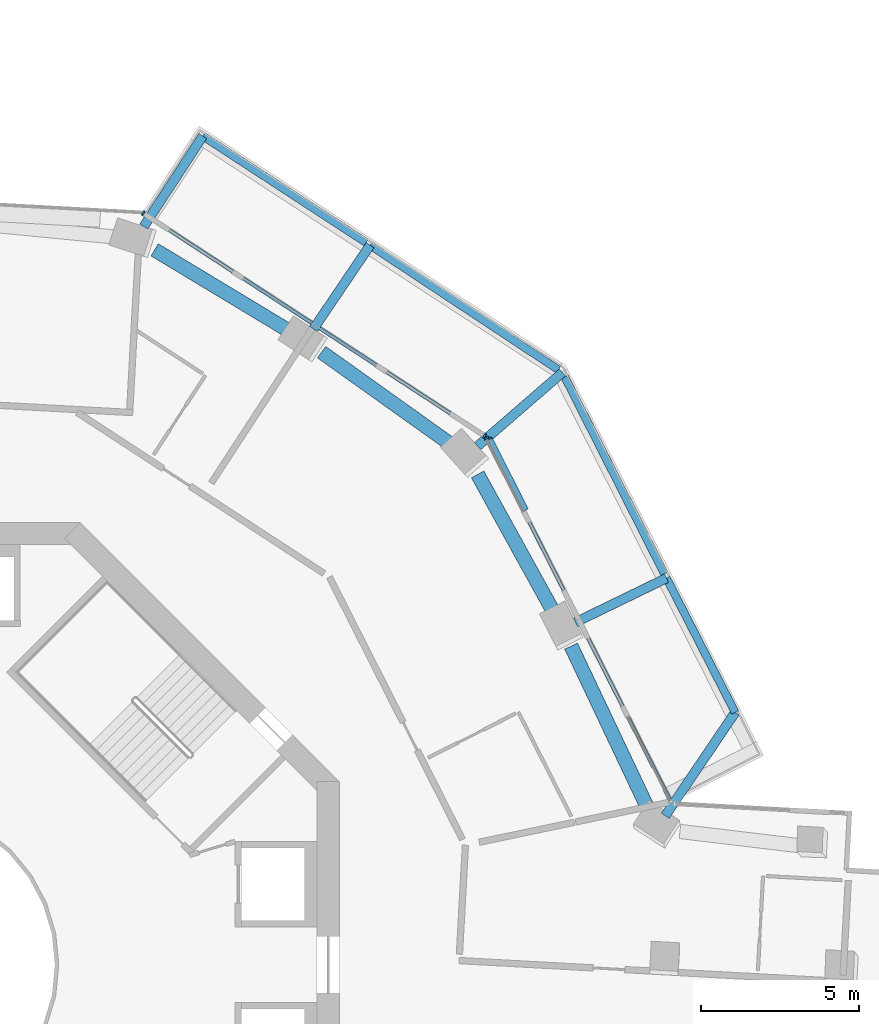
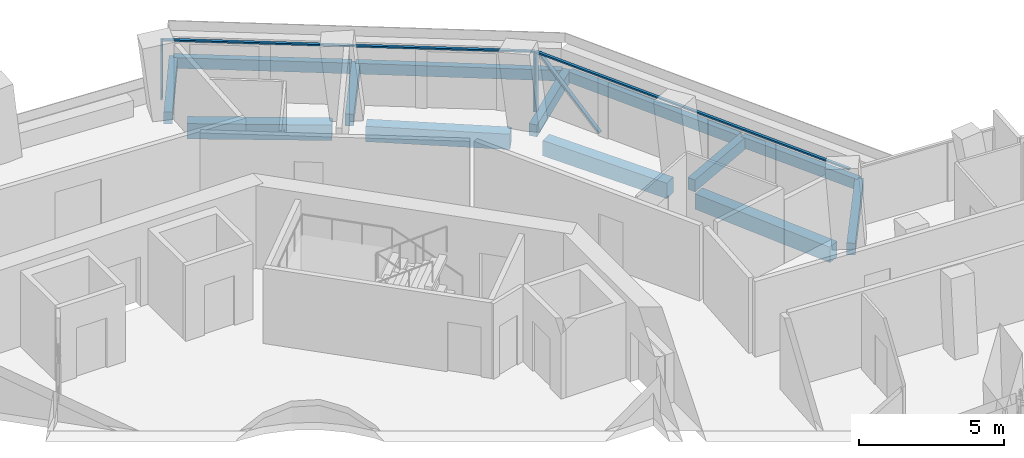
# One storey, part 9 of 23: 13 beams, 6 members, 2 elements without a shape of their own.
"""IFC4 building model written with IfcOpenShell, lengths in metres."""

import ifcopenshell
import ifcopenshell.guid

model = None  # the IFC model being written
_history = None  # IfcOwnerHistory: only IFC2X3 demands one
_inside = {}  # id of a spatial element -> (the spatial element, [elements in it])
_under = {}  # id of a project, library or spatial element -> (it, [spatial elements below it])
_declared = {}  # id of a project -> (the project, [libraries it declares])
_typed = {}  # id of a type object -> (the type object, [elements of that type])
_made_of = {}  # id of a material, layer set ... -> (it, [elements and type objects made of it])


def new_model(schema):
    """Start an empty IFC model of exactly this schema.

    Asked for "IFC4X3", IfcOpenShell would pick the latest addendum, in which some entities
    have other attributes; the version numbers below select the first issue.
    IFC2X3 requires an IfcOwnerHistory on every rooted entity: one is made here for all.
    """
    global model, _history
    if schema == "IFC4X3":
        model = ifcopenshell.file(schema_version=(4, 3, 0, 0))
    else:
        model = ifcopenshell.file(schema=schema)
    _inside.clear()
    _under.clear()
    _declared.clear()
    _typed.clear()
    _made_of.clear()
    _history = None
    if model.schema == "IFC2X3":
        org = make("IfcOrganization", Name="unknown")
        user = make(
            "IfcPersonAndOrganization",
            ThePerson=make("IfcPerson", FamilyName="unknown"),
            TheOrganization=org,
        )
        app = make(
            "IfcApplication",
            ApplicationDeveloper=org,
            Version="unknown",
            ApplicationFullName="unknown",
            ApplicationIdentifier="unknown",
        )
        _history = make(
            "IfcOwnerHistory",
            OwningUser=user,
            OwningApplication=app,
            ChangeAction="ADDED",
            CreationDate=0,
        )
    return model


def make(cls, **values):
    """One entity of the class cls with the attributes given. An attribute that is None is left unset."""
    return model.create_entity(
        cls, **{name: value for name, value in values.items() if value is not None}
    )


def rooted(cls, **values):
    """An entity with a GlobalId (a new one), such as an element, a storey or a relation."""
    return make(cls, GlobalId=ifcopenshell.guid.new(), OwnerHistory=_history, **values)


def si_unit(unit_type, name, prefix=None):
    """IfcSIUnit, for example si_unit("LENGTHUNIT", "METRE", prefix="MILLI")."""
    return make("IfcSIUnit", UnitType=unit_type, Prefix=prefix, Name=name)


def assignment(units):
    """IfcUnitAssignment: the units of a project."""
    return None if units is None else make("IfcUnitAssignment", Units=units)


def point(xyz):
    """IfcCartesianPoint."""
    return None if xyz is None else make("IfcCartesianPoint", Coordinates=xyz)


def direction(xyz):
    """IfcDirection."""
    return None if xyz is None else make("IfcDirection", DirectionRatios=xyz)


def frame(location, z_axis=None, x_axis=None):
    """IfcAxis2Placement3D, a coordinate frame: its origin and axes. An axis left out is left unset."""
    return make(
        "IfcAxis2Placement3D",
        Location=point(location),
        Axis=direction(z_axis),
        RefDirection=direction(x_axis),
    )


def frame_2d(location, x_axis=None):
    """IfcAxis2Placement2D, a coordinate frame in the plane: its origin and x axis."""
    return make(
        "IfcAxis2Placement2D", Location=point(location), RefDirection=direction(x_axis)
    )


def origin():
    """The frame at (0, 0, 0) with its axes left unset."""
    return frame((0.0, 0.0, 0.0))


def origin_2d():
    """The frame at (0, 0) in the plane with its x axis left unset."""
    return frame_2d((0.0, 0.0))


def place(relative_to, where):
    """IfcLocalPlacement: puts the frame where relative to a parent placement (None: the world)."""
    return make(
        "IfcLocalPlacement", PlacementRelTo=relative_to, RelativePlacement=where
    )


def context(
    kind, dimensions, precision=None, world=None, true_north=None, identifier=None
):
    """IfcGeometricRepresentationContext, for example the 3D "Model" context."""
    return make(
        "IfcGeometricRepresentationContext",
        ContextIdentifier=identifier,
        ContextType=kind,
        CoordinateSpaceDimension=dimensions,
        Precision=precision,
        WorldCoordinateSystem=world,
        TrueNorth=true_north,
    )


def subcontext(parent, identifier, kind, view, scale=None):
    """IfcGeometricRepresentationSubContext, for example "Body" below "Model"."""
    return make(
        "IfcGeometricRepresentationSubContext",
        ContextIdentifier=identifier,
        ContextType=kind,
        ParentContext=parent,
        TargetScale=scale,
        TargetView=view,
    )


def project(units=None, contexts=None):
    """IfcProject with its units and contexts."""
    return rooted(
        "IfcProject",
        Name="project",
        RepresentationContexts=contexts,
        UnitsInContext=assignment(units),
    )


def spatial(cls, under=None, at=None, **own):
    """A site, building, storey or space (cls), placed at a placement, below another one or the project."""
    s = rooted(cls, ObjectPlacement=at, **own)
    if under is not None:
        _under.setdefault(under.id(), (under, []))[1].append(s)
    return s


def profile(cls, at=None, kind="AREA", **sizes):
    """A parametric profile (cls). Its sizes go by their IFC names, for example OverallWidth=200.0."""
    return make(cls, ProfileType=kind, Position=at, **sizes)


def rectangle(**sizes):
    """IfcRectangleProfileDef."""
    return profile("IfcRectangleProfileDef", **sizes)


def extrude(swept, where, along, depth):
    """IfcExtrudedAreaSolid: the profile swept, set in the frame where, extruded along a direction by depth."""
    return make(
        "IfcExtrudedAreaSolid",
        SweptArea=swept,
        Position=where,
        ExtrudedDirection=direction(along),
        Depth=depth,
    )


def shape(context_of_items, identifier, shape_type, items):
    """IfcShapeRepresentation: the items that make up one representation, for example the "Body"."""
    return make(
        "IfcShapeRepresentation",
        ContextOfItems=context_of_items,
        RepresentationIdentifier=identifier,
        RepresentationType=shape_type,
        Items=items,
    )


def material(Name=None, Category=None):
    """IfcMaterial."""
    return make("IfcMaterial", Name=Name, Category=Category)


def layer(
    of_material, thickness, ventilated=None, Name=None, Category=None, Priority=None
):
    """IfcMaterialLayer: one layer of a wall or slab, of a material (None: an air gap)."""
    return make(
        "IfcMaterialLayer",
        Material=of_material,
        LayerThickness=thickness,
        IsVentilated=ventilated,
        Name=Name,
        Category=Category,
        Priority=Priority,
    )


def layer_set(layers, Name=None):
    """IfcMaterialLayerSet."""
    return make("IfcMaterialLayerSet", MaterialLayers=layers, LayerSetName=Name)


def material_profile(
    of_material, cross_section, Name=None, Category=None, Priority=None
):
    """IfcMaterialProfile: a cross section and its material."""
    return make(
        "IfcMaterialProfile",
        Name=Name,
        Material=of_material,
        Profile=cross_section,
        Priority=Priority,
        Category=Category,
    )


def profile_set(profiles, Name=None, composite=None):
    """IfcMaterialProfileSet."""
    return make(
        "IfcMaterialProfileSet",
        Name=Name,
        MaterialProfiles=profiles,
        CompositeProfile=composite,
    )


def made_of(thing, what):
    """Note that an element or type object is made of a material, layer set ...; save() writes the relation."""
    if what is not None:
        _made_of.setdefault(what.id(), (what, []))[1].append(thing)
    return thing


def type_object(cls, material=None, **own):
    """A type object (cls), such as IfcWallType, which elements share."""
    return made_of(rooted(cls, **own), material)


def element(
    cls,
    number,
    at=None,
    inside=None,
    cuts=None,
    type_object=None,
    material=None,
    context=None,
    identifier="Body",
    shape_type=None,
    held_by="IfcProductDefinitionShape",
    body=None,
    shapes=None,
    **own,
):
    """One element of the class cls, such as IfcWall. Its Tag is "e" and its number.

    at: its placement. inside: the storey or other place that contains it. cuts: it is an
    opening in that element (IfcRelVoidsElement). A single representation is given by context,
    identifier, shape_type and body (its items); several are given by shapes. held_by: the class
    of the entity that holds the representations. save() writes the other relations.
    """
    e = rooted(cls, Tag="e%d" % number, ObjectPlacement=at, **own)
    if body is not None:
        shapes = [shape(context, identifier, shape_type, body)]
    if shapes is not None:
        e.Representation = make(held_by, Representations=shapes)
    if inside is not None:
        _inside.setdefault(inside.id(), (inside, []))[1].append(e)
    if cuts is not None:
        rooted(
            "IfcRelVoidsElement", RelatingBuildingElement=cuts, RelatedOpeningElement=e
        )
    if type_object is not None:
        _typed.setdefault(type_object.id(), (type_object, []))[1].append(e)
    return made_of(e, material)


def aggregate(whole, parts):
    """IfcRelAggregates: a whole, such as a stair, and the parts it consists of."""
    return rooted("IfcRelAggregates", RelatingObject=whole, RelatedObjects=parts)


def save(model, path):
    """Write the relations noted so far, then the file.

    IfcRelAggregates (storeys below a building ...), IfcRelContainedInSpatialStructure (elements
    in a storey), IfcRelDefinesByType, IfcRelAssociatesMaterial and IfcRelDeclares: one each for
    every whole, place, type object, material and project.
    """
    for whole, parts in _under.values():
        aggregate(whole, parts)
    for where, things in _inside.values():
        rooted(
            "IfcRelContainedInSpatialStructure",
            RelatedElements=things,
            RelatingStructure=where,
        )
    for kind, things in _typed.values():
        rooted("IfcRelDefinesByType", RelatedObjects=things, RelatingType=kind)
    for what, things in _made_of.values():
        rooted("IfcRelAssociatesMaterial", RelatedObjects=things, RelatingMaterial=what)
    for by, libraries in _declared.values():
        rooted("IfcRelDeclares", RelatingContext=by, RelatedDefinitions=libraries)
    model.write(path)


model = new_model("IFC4")

# Units and contexts
model_context = context("Model", 3, precision=1e-05, world=origin(), true_north=direction((0.0, 1.0)))
body_context = subcontext(model_context, "Body", "Model", "MODEL_VIEW")
ifc_project = project(units=[si_unit("LENGTHUNIT", "METRE"), si_unit("AREAUNIT", "SQUARE_METRE"), si_unit("VOLUMEUNIT", "CUBIC_METRE"), si_unit("PLANEANGLEUNIT", "RADIAN"), si_unit("MASSUNIT", "GRAM", prefix="KILO")], contexts=[model_context])

# Site, building, storey
site_placement = place(None, origin())
site = spatial("IfcSite", under=ifc_project, at=site_placement, CompositionType="ELEMENT")
building_placement = place(site_placement, origin())
building = spatial("IfcBuilding", under=site, at=building_placement, Name="Verdalira Terraces Hotel", CompositionType="ELEMENT")
storey_placement = place(building_placement, frame((0.0, 0.0, 143.5)))
storey = spatial("IfcBuildingStorey", under=building, at=storey_placement, Name="L34", CompositionType="ELEMENT", Elevation=143.5)

# Beams
ifc_material_1 = material(Name="Concrete C40", Category="concrete")
ifc_material_profile_1 = material_profile(ifc_material_1, rectangle(XDim=0.300049, YDim=0.5, at=origin_2d()), Name="RC 300X500")
ifc_profile_set_1 = profile_set([ifc_material_profile_1], Name="Concrete C40")
beam_type_1 = type_object("IfcBeamType", Name="Balcony cantilever beam RC 300X500 C40", PredefinedType="BEAM", material=ifc_profile_set_1)
beam_1_placement = place(storey_placement, frame((24.317139, 4.714111, -0.560059), z_axis=(0.560364243, 0.828246289, 0.0), x_axis=(-0.828246289, 0.560364243, 0.0)))
element("IfcBeam", 1, at=beam_1_placement, inside=storey, type_object=beam_type_1, Name="Balcony cantilever beam R39-1", PredefinedType="BEAM", context=body_context, shape_type="SweptSolid", body=[
    extrude(rectangle(XDim=0.300049, YDim=0.5, at=origin_2d()), origin(), (0.0, 0.0, 1.0), 3.949951),
])
beam_2_placement = place(storey_placement, frame((21.477783, 10.839111, -0.560059), z_axis=(0.899404506, 0.437117302, 0.0), x_axis=(-0.437117302, 0.899404506, 0.0)))
element("IfcBeam", 2, at=beam_2_placement, inside=storey, type_object=beam_type_1, Name="Balcony cantilever beam R39-2", PredefinedType="BEAM", context=body_context, shape_type="SweptSolid", body=[
    extrude(rectangle(XDim=0.300049, YDim=0.5, at=origin_2d()), origin(), (0.0, 0.0, 1.0), 3.200928),
])
beam_3_placement = place(storey_placement, frame((18.376221, 16.418213, -0.560059), z_axis=(0.755630192, 0.654998483, 0.0), x_axis=(-0.654998483, 0.755630192, 0.0)))
element("IfcBeam", 3, at=beam_3_placement, inside=storey, type_object=beam_type_1, Name="Balcony cantilever beam R39-3", PredefinedType="BEAM", context=body_context, shape_type="SweptSolid", body=[
    extrude(rectangle(XDim=0.300049, YDim=0.5, at=origin_2d()), origin(), (0.0, 0.0, 1.0), 3.556641),
])
beam_4_placement = place(storey_placement, frame((13.180908, 20.125977, -0.560059), z_axis=(0.560320141, 0.828276125, 0.0), x_axis=(-0.828276125, 0.560320141, 0.0)))
element("IfcBeam", 4, at=beam_4_placement, inside=storey, type_object=beam_type_1, Name="Balcony cantilever beam R39-4", PredefinedType="BEAM", context=body_context, shape_type="SweptSolid", body=[
    extrude(rectangle(XDim=0.300049, YDim=0.5, at=origin_2d()), origin(), (0.0, 0.0, 1.0), 3.200684),
])
beam_5_placement = place(storey_placement, frame((7.811523, 23.369873, -0.560059), z_axis=(0.546396353, 0.837526731, 0.0), x_axis=(-0.837526731, 0.546396353, 0.0)))
element("IfcBeam", 5, at=beam_5_placement, inside=storey, type_object=beam_type_1, Name="Balcony cantilever beam R39-5", PredefinedType="BEAM", context=body_context, shape_type="SweptSolid", body=[
    extrude(rectangle(XDim=0.300049, YDim=0.5, at=origin_2d()), origin(), (0.0, 0.0, 1.0), 3.417236),
])
ifc_material_2 = material(Name="Concrete C40", Category="concrete")
ifc_material_profile_2 = material_profile(ifc_material_2, rectangle(XDim=0.25, YDim=0.449951, at=origin_2d()), Name="RC 250X450")
ifc_profile_set_2 = profile_set([ifc_material_profile_2], Name="Concrete C40")
beam_type_2 = type_object("IfcBeamType", Name="Balcony edge beam RC 250X450 C40", PredefinedType="BEAM", material=ifc_profile_set_2)
beam_6_placement = place(storey_placement, frame((26.530518, 7.985596, -0.534912), z_axis=(-0.455149788, 0.890414887, 0.0), x_axis=(-0.890414887, -0.455149788, 0.0)))
element("IfcBeam", 6, at=beam_6_placement, inside=storey, type_object=beam_type_2, Name="Balcony edge beam R39-1", PredefinedType="BEAM", context=body_context, shape_type="SweptSolid", body=[
    extrude(rectangle(XDim=0.25, YDim=0.449951, at=origin_2d()), origin(), (0.0, 0.0, 1.0), 4.776123),
])
beam_7_placement = place(storey_placement, frame((24.289062, 12.372314, -0.534912), z_axis=(-0.451413698, 0.892314784, 0.0), x_axis=(-0.892314784, -0.451413698, 0.0)))
element("IfcBeam", 7, at=beam_7_placement, inside=storey, type_object=beam_type_2, Name="Balcony edge beam R39-2", PredefinedType="BEAM", context=body_context, shape_type="SweptSolid", body=[
    extrude(rectangle(XDim=0.25, YDim=0.449951, at=origin_2d()), origin(), (0.0, 0.0, 1.0), 6.990234),
])
beam_8_placement = place(storey_placement, frame((20.933838, 18.83374, -0.534912), z_axis=(-0.833958564, 0.551827068, 0.0), x_axis=(-0.551827068, -0.833958564, 0.0)))
element("IfcBeam", 8, at=beam_8_placement, inside=storey, type_object=beam_type_2, Name="Balcony edge beam R39-3", PredefinedType="BEAM", context=body_context, shape_type="SweptSolid", body=[
    extrude(rectangle(XDim=0.25, YDim=0.449951, at=origin_2d()), origin(), (0.0, 0.0, 1.0), 7.145996),
])
beam_9_placement = place(storey_placement, frame((14.848633, 22.858887, -0.534912), z_axis=(-0.837509872, 0.546422194, 0.0), x_axis=(-0.546422194, -0.837509872, 0.0)))
element("IfcBeam", 9, at=beam_9_placement, inside=storey, type_object=beam_type_2, Name="Balcony edge beam R39-4", PredefinedType="BEAM", context=body_context, shape_type="SweptSolid", body=[
    extrude(rectangle(XDim=0.25, YDim=0.449951, at=origin_2d()), origin(), (0.0, 0.0, 1.0), 6.172852),
])

# Curtain wall, member
ifc_material_3 = material(Name="Clear glass", Category="glass")
ifc_layer = layer(ifc_material_3, 0.14990234375)
ifc_layer_set = layer_set([ifc_layer], Name="CW1 curtain wall")
curtain_wall_type = type_object("IfcCurtainWallType", Name="CW1 curtain wall", PredefinedType="NOTDEFINED", material=ifc_layer_set)
curtain_wall_1_placement = place(storey_placement, origin())
curtain_wall_1 = element("IfcCurtainWall", 10, at=curtain_wall_1_placement, inside=storey, type_object=curtain_wall_type, Name="CW1 curtain wall L34 edge 39", PredefinedType="NOTDEFINED")
ifc_material_4 = material(Name="Terracotta frame", Category="masonry")
ifc_material_profile_3 = material_profile(ifc_material_4, rectangle(XDim=0.060059, YDim=0.149902, at=origin_2d()), Name="MU 60x150")
ifc_profile_set_3 = profile_set([ifc_material_profile_3], Name="Terracotta frame")
member_type_1 = type_object("IfcMemberType", Name="CW1 mullion 60x150", PredefinedType="MULLION", material=ifc_profile_set_3)
member_1_placement = place(storey_placement, frame((18.66333, 16.668945, 0.0), z_axis=(0.0, 0.0, 1.0), x_axis=(-0.452123386, 0.891955405, 0.0)))
member_1 = element("IfcMember", 11, at=member_1_placement, type_object=member_type_1, Name="CW1 mullion", PredefinedType="MULLION", context=body_context, shape_type="SweptSolid", body=[
    extrude(rectangle(XDim=0.060059, YDim=0.149902, at=origin_2d()), origin(), (0.0, 0.0, 1.0), 2.475098),
])

# Curtain wall, members
curtain_wall_2_placement = place(storey_placement, origin())
curtain_wall_2 = element("IfcCurtainWall", 12, at=curtain_wall_2_placement, inside=storey, type_object=curtain_wall_type, Name="CW1 curtain wall L34 edge 40", PredefinedType="NOTDEFINED")
member_2_placement = place(storey_placement, frame((18.598877, 16.740967, 0.0), z_axis=(0.0, 0.0, 1.0), x_axis=(-0.83752804, 0.546394347, 0.0)))
member_2 = element("IfcMember", 13, at=member_2_placement, type_object=member_type_1, Name="CW1 mullion", PredefinedType="MULLION", context=body_context, shape_type="SweptSolid", body=[
    extrude(rectangle(XDim=0.060059, YDim=0.149902, at=origin_2d()), origin(), (0.0, 0.0, 1.0), 2.475098),
])
member_3_placement = place(storey_placement, frame((7.794922, 23.789307, 0.0), z_axis=(0.0, 0.0, 1.0), x_axis=(-0.83752804, 0.546394347, 0.0)))
member_3 = element("IfcMember", 14, at=member_3_placement, type_object=member_type_1, Name="CW1 mullion", PredefinedType="MULLION", context=body_context, shape_type="SweptSolid", body=[
    extrude(rectangle(XDim=0.060059, YDim=0.149902, at=origin_2d()), origin(), (0.0, 0.0, 1.0), 2.475098),
])

# Member
ifc_material_5 = material(Name="Terracotta frame", Category="masonry")
ifc_material_profile_4 = material_profile(ifc_material_5, rectangle(XDim=0.110107, YDim=0.064941, at=origin_2d()), Name="TR 65x110")
ifc_profile_set_4 = profile_set([ifc_material_profile_4], Name="Terracotta frame")
member_type_2 = type_object("IfcMemberType", Name="CW1 transom 65x110", PredefinedType="USERDEFINED", material=ifc_profile_set_4)
member_4_placement = place(storey_placement, frame((24.509277, 5.13623, 2.507568), z_axis=(-0.452119885, 0.891957179, 0.0), x_axis=(-0.891957179, -0.452119885, 0.0)))
member_4 = element("IfcMember", 15, at=member_4_placement, type_object=member_type_2, Name="CW1 transom", ObjectType="TRANSOM", PredefinedType="USERDEFINED", context=body_context, shape_type="SweptSolid", body=[
    extrude(rectangle(XDim=0.110107, YDim=0.064941, at=origin_2d()), origin(), (0.0, 0.0, 1.0), 12.959717),
])

member_5_placement = place(storey_placement, frame((18.624023, 16.724609, 2.507568), z_axis=(-0.837533011, 0.546386726, 0.0), x_axis=(-0.546386726, -0.837533011, 0.0)))
member_5 = element("IfcMember", 16, at=member_5_placement, type_object=member_type_2, Name="CW1 transom", ObjectType="TRANSOM", PredefinedType="USERDEFINED", context=body_context, shape_type="SweptSolid", body=[
    extrude(rectangle(XDim=0.110107, YDim=0.064941, at=origin_2d()), origin(), (0.0, 0.0, 1.0), 12.959717),
])

aggregate(curtain_wall_2, [member_2, member_3, member_5])

ifc_material_6 = material(Name="Terracotta frame", Category="masonry")
ifc_material_profile_5 = material_profile(ifc_material_6, rectangle(XDim=0.149902, YDim=0.060059, at=origin_2d()), Name="GB 60x150")
ifc_profile_set_5 = profile_set([ifc_material_profile_5], Name="Terracotta frame")
member_type_3 = type_object("IfcMemberType", Name="Diagonal glazing bar 60x150", PredefinedType="USERDEFINED", material=ifc_profile_set_5)
member_6_placement = place(storey_placement, frame((19.905029, 14.416504, 0.022949), z_axis=(-0.325350222, 0.641765702, 0.694466714), x_axis=(-0.891929888, -0.452173723, 0.0)))
member_6 = element("IfcMember", 17, at=member_6_placement, type_object=member_type_3, Name="Diagonal glazing bar", ObjectType="GLAZING BAR", PredefinedType="USERDEFINED", context=body_context, shape_type="SweptSolid", body=[
    extrude(rectangle(XDim=0.149902, YDim=0.060059, at=origin_2d()), origin(), (0.0, 0.0, 1.0), 3.497559),
])

aggregate(curtain_wall_1, [member_1, member_4, member_6])

# Beams
ifc_material_7 = material(Name="Concrete C50", Category="concrete")
ifc_material_profile_6 = material_profile(ifc_material_7, rectangle(XDim=0.449951, YDim=0.649902, at=origin_2d()), Name="RC 450X650")
ifc_profile_set_6 = profile_set([ifc_material_profile_6], Name="Concrete C50")
beam_type_3 = type_object("IfcBeamType", Name="Spandrel beam RC 450X650 C50", PredefinedType="SPANDREL", material=ifc_profile_set_6)
beam_10_placement = place(storey_placement, frame((23.761963, 4.958252, -0.63501), z_axis=(-0.427494121, 0.904018128, 0.0), x_axis=(-0.904018128, -0.427494121, 0.0)))
element("IfcBeam", 18, at=beam_10_placement, inside=storey, type_object=beam_type_3, Name="Spandrel beam B18", PredefinedType="SPANDREL", context=body_context, shape_type="SweptSolid", body=[
    extrude(rectangle(XDim=0.449951, YDim=0.649902, at=origin_2d()), origin(), (0.0, 0.0, 1.0), 5.671631),
])
beam_11_placement = place(storey_placement, frame((20.800781, 11.132812, -0.63501), z_axis=(-0.483296232, 0.875456882, 0.0), x_axis=(-0.875456882, -0.483296232, 0.0)))
element("IfcBeam", 19, at=beam_11_placement, inside=storey, type_object=beam_type_3, Name="Spandrel beam B19", PredefinedType="SPANDREL", context=body_context, shape_type="SweptSolid", body=[
    extrude(rectangle(XDim=0.449951, YDim=0.649902, at=origin_2d()), origin(), (0.0, 0.0, 1.0), 5.012207),
])
beam_12_placement = place(storey_placement, frame((17.52002, 16.481201, -0.63501), z_axis=(-0.814236391, 0.580533461, 0.0), x_axis=(-0.580533461, -0.814236391, 0.0)))
element("IfcBeam", 20, at=beam_12_placement, inside=storey, type_object=beam_type_3, Name="Spandrel beam B20", PredefinedType="SPANDREL", context=body_context, shape_type="SweptSolid", body=[
    extrude(rectangle(XDim=0.449951, YDim=0.649902, at=origin_2d()), origin(), (0.0, 0.0, 1.0), 5.015381),
])
beam_13_placement = place(storey_placement, frame((12.44751, 20.041504, -0.63501), z_axis=(-0.856265663, 0.516535686, 0.0), x_axis=(-0.516535686, -0.856265663, 0.0)))
element("IfcBeam", 21, at=beam_13_placement, inside=storey, type_object=beam_type_3, Name="Spandrel beam B21", PredefinedType="SPANDREL", context=body_context, shape_type="SweptSolid", body=[
    extrude(rectangle(XDim=0.449951, YDim=0.649902, at=origin_2d()), origin(), (0.0, 0.0, 1.0), 5.012451),
])

save(model, "model.ifc")
